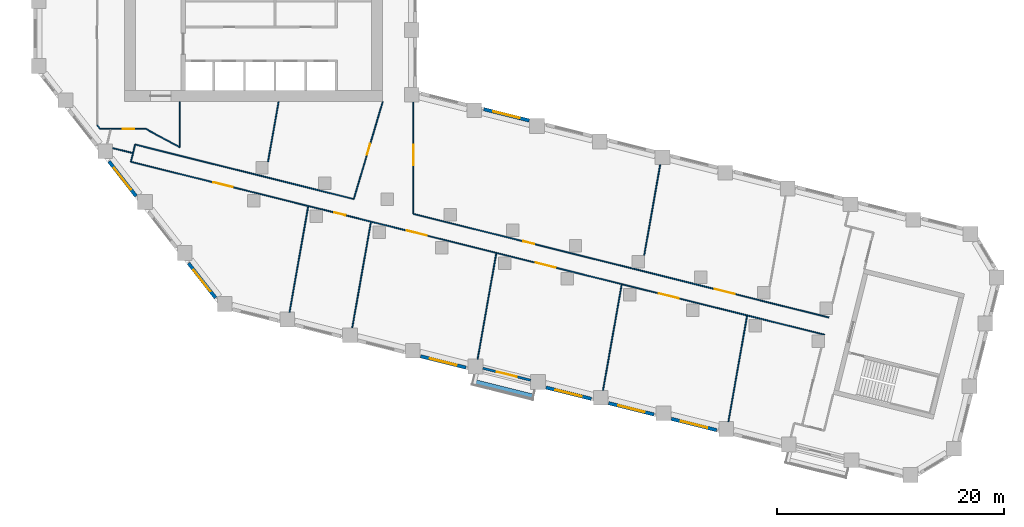
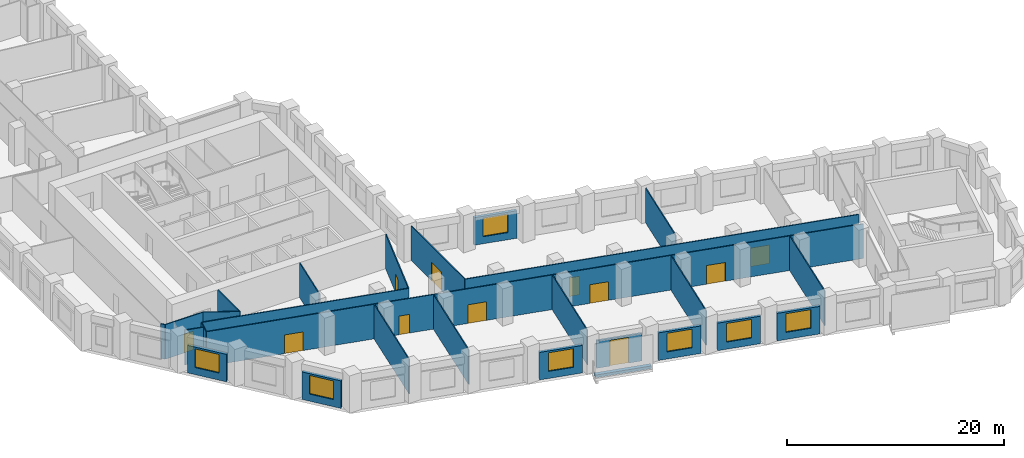
# One storey, part 3 of 10: 27 walls, 11 doors, 7 windows, 18 openings.
"""IFC4 building model written with IfcOpenShell, lengths in metres."""

from ifc_helpers import new_model, si_unit, direction, frame, frame_2d, origin, place, context, subcontext, project, spatial, rectangle, extrude, material, layer, layer_set, type_object, element, fill, save


model = new_model("IFC4")

# Units and contexts
model_context = context("Model", 3, precision=1e-05, world=origin(), true_north=direction((0.0, 1.0)))
body_context = subcontext(model_context, "Body", "Model", "MODEL_VIEW")
ifc_project = project(units=[si_unit("LENGTHUNIT", "METRE"), si_unit("AREAUNIT", "SQUARE_METRE"), si_unit("VOLUMEUNIT", "CUBIC_METRE"), si_unit("PLANEANGLEUNIT", "RADIAN"), si_unit("MASSUNIT", "GRAM", prefix="KILO")], contexts=[model_context])

# Site, building, storey
site_placement = place(None, origin())
site = spatial("IfcSite", under=ifc_project, at=site_placement, CompositionType="ELEMENT")
building_placement = place(site_placement, origin())
building = spatial("IfcBuilding", under=site, at=building_placement, Name="Meshkara Civic Tower", CompositionType="ELEMENT")
storey_placement = place(building_placement, frame((0.0, 0.0, 109.800048828125)))
storey = spatial("IfcBuildingStorey", under=building, at=storey_placement, Name="L24", CompositionType="ELEMENT", Elevation=109.800048828125)

# Wall
ifc_material_1 = material(Name="Corridor wall 100")
ifc_layer_1 = layer(ifc_material_1, 0.10009765625)
ifc_layer_set_1 = layer_set([ifc_layer_1], Name="Corridor wall 100")
wall_type_1 = type_object("IfcWallType", Name="Corridor wall 100", PredefinedType="PARTITIONING", material=ifc_layer_set_1)
wall_1_placement = place(storey_placement, frame((5.60009765625, 12.04296875, 0.0), z_axis=(0.0, 0.0, 1.0), x_axis=(0.615415398102, -0.788202948344, 0.0)))
element("IfcWall", 1, at=wall_1_placement, inside=storey, type_object=wall_type_1, Name="L24-W003", PredefinedType="PARTITIONING", context=body_context, shape_type="SweptSolid", body=[
    extrude(rectangle(XDim=0.435302734375, YDim=0.10009765625, at=frame_2d((0.2177734375, 0.0))), origin(), (0.0, 0.0, 1.0), 3.89990234375),
])

# Wall, opening, door
wall_2_placement = place(storey_placement, frame((5.867919921875, 11.699951171875, 0.0), z_axis=(0.0, 0.0, 1.0), x_axis=(1.0, 0.0, 0.0)))
wall_2 = element("IfcWall", 2, at=wall_2_placement, inside=storey, type_object=wall_type_1, Name="L24-W006", PredefinedType="PARTITIONING", context=body_context, shape_type="SweptSolid", body=[
    extrude(rectangle(XDim=4.031982421875, YDim=0.10009765625, at=frame_2d((2.01611328125, 0.0))), origin(), (0.0, 0.0, 1.0), 3.89990234375),
])
opening_1_placement = place(wall_2_placement, frame((2.009033203125, 0.0, 0.0)))
opening_1 = element("IfcOpeningElement", 3, at=opening_1_placement, cuts=wall_2, Name="Opening L24-D011", PredefinedType="OPENING", context=body_context, shape_type="SweptSolid", body=[
    extrude(rectangle(XDim=1.0, YDim=2.10009765625, at=frame_2d((0.5, 1.050048828125))), frame((0.0, 0.06005859375, 0.0), z_axis=(0.0, -1.0, 0.0), x_axis=(1.0, 0.0, 0.0)), (0.0, 0.0, 1.0), 0.1201171875),
])
ifc_material_2 = material(Name="Door 1000 x 2100")
door_type_1 = type_object("IfcDoorType", Name="Door 1000 x 2100", OperationType="SINGLE_SWING_LEFT", PredefinedType="DOOR", material=ifc_material_2)
door_1_placement = place(opening_1_placement, origin())
door_1 = element("IfcDoor", 4, at=door_1_placement, inside=storey, type_object=door_type_1, Name="L24-D011", OperationType="SINGLE_SWING_LEFT", OverallHeight=2.10009765625, OverallWidth=1.0, PredefinedType="DOOR", context=body_context, shape_type="SweptSolid", body=[
    extrude(rectangle(XDim=1.0, YDim=2.10009765625, at=frame_2d((0.5, 1.050048828125))), frame((0.0, 0.02490234375, 0.0), z_axis=(0.0, -1.0, 0.0), x_axis=(1.0, 0.0, 0.0)), (0.0, 0.0, 1.0), 0.050048828125),
])
fill(opening_1, door_1)

# Wall, openings, doors
wall_3_placement = place(storey_placement, frame((8.5791015625, 8.802978515625, 0.0), z_axis=(0.0, 0.0, 1.0), x_axis=(0.9702968999, -0.241917188404, 0.0)))
wall_3 = element("IfcWall", 5, at=wall_3_placement, inside=storey, type_object=wall_type_1, Name="L24-W009", PredefinedType="PARTITIONING", context=body_context, shape_type="SweptSolid", body=[
    extrude(rectangle(XDim=63.075439453125, YDim=0.10009765625, at=frame_2d((31.53759765625, 0.0))), origin(), (0.0, 0.0, 1.0), 3.89990234375),
])
opening_2_placement = place(wall_3_placement, frame((36.81005859375, 0.0, 0.0)))
opening_2 = element("IfcOpeningElement", 6, at=opening_2_placement, cuts=wall_3, Name="Opening L24-D003", PredefinedType="OPENING", context=body_context, shape_type="SweptSolid", body=[
    extrude(rectangle(XDim=1.800048828125, YDim=2.10009765625, at=frame_2d((0.89990234375, 1.050048828125))), frame((0.0, 0.06005859375, 0.0), z_axis=(0.0, -1.0, 0.0), x_axis=(1.0, 0.0, 0.0)), (0.0, 0.0, 1.0), 0.1201171875),
])
opening_3_placement = place(wall_3_placement, frame((48.010986328125, 0.0, 0.0)))
opening_3 = element("IfcOpeningElement", 7, at=opening_3_placement, cuts=wall_3, Name="Opening L24-D004", PredefinedType="OPENING", context=body_context, shape_type="SweptSolid", body=[
    extrude(rectangle(XDim=1.800048828125, YDim=2.10009765625, at=frame_2d((0.89990234375, 1.050048828125))), frame((0.0, 0.06005859375, 0.0), z_axis=(0.0, -1.0, 0.0), x_axis=(1.0, 0.0, 0.0)), (0.0, 0.0, 1.0), 0.1201171875),
])
opening_4_placement = place(wall_3_placement, frame((18.510009765625, 0.0, 0.0)))
opening_4 = element("IfcOpeningElement", 8, at=opening_4_placement, cuts=wall_3, Name="Opening L24-D007", PredefinedType="OPENING", context=body_context, shape_type="SweptSolid", body=[
    extrude(rectangle(XDim=1.0, YDim=2.10009765625, at=frame_2d((0.5, 1.050048828125))), frame((0.0, 0.06005859375, 0.0), z_axis=(0.0, -1.0, 0.0), x_axis=(1.0, 0.0, 0.0)), (0.0, 0.0, 1.0), 0.1201171875),
])
opening_5_placement = place(wall_3_placement, frame((25.110107421875, 0.0, 0.0)))
opening_5 = element("IfcOpeningElement", 9, at=opening_5_placement, cuts=wall_3, Name="Opening L24-D008", PredefinedType="OPENING", context=body_context, shape_type="SweptSolid", body=[
    extrude(rectangle(XDim=1.800048828125, YDim=2.10009765625, at=frame_2d((0.89990234375, 1.050048828125))), frame((0.0, 0.06005859375, 0.0), z_axis=(0.0, -1.0, 0.0), x_axis=(1.0, 0.0, 0.0)), (0.0, 0.0, 1.0), 0.1201171875),
])
opening_6_placement = place(wall_3_placement, frame((7.47998046875, 0.0, 0.0)))
opening_6 = element("IfcOpeningElement", 10, at=opening_6_placement, cuts=wall_3, Name="Opening L24-D012", PredefinedType="OPENING", context=body_context, shape_type="SweptSolid", body=[
    extrude(rectangle(XDim=1.800048828125, YDim=2.10009765625, at=frame_2d((0.89990234375, 1.050048828125))), frame((0.0, 0.06005859375, 0.0), z_axis=(0.0, -1.0, 0.0), x_axis=(1.0, 0.0, 0.0)), (0.0, 0.0, 1.0), 0.1201171875),
])
door_2_placement = place(opening_4_placement, origin())
door_2 = element("IfcDoor", 11, at=door_2_placement, inside=storey, type_object=door_type_1, Name="L24-D007", OperationType="SINGLE_SWING_LEFT", OverallHeight=2.10009765625, OverallWidth=1.0, PredefinedType="DOOR", context=body_context, shape_type="SweptSolid", body=[
    extrude(rectangle(XDim=1.0, YDim=2.10009765625, at=frame_2d((0.5, 1.050048828125))), frame((0.0, 0.02490234375, 0.0), z_axis=(0.0, -1.0, 0.0), x_axis=(1.0, 0.0, 0.0)), (0.0, 0.0, 1.0), 0.050048828125),
])
fill(opening_4, door_2)
ifc_material_3 = material(Name="Door pair 1800 x 2100")
door_type_2 = type_object("IfcDoorType", Name="Door pair 1800 x 2100", OperationType="SINGLE_SWING_LEFT", PredefinedType="DOOR", material=ifc_material_3)
door_3_placement = place(opening_2_placement, origin())
door_3 = element("IfcDoor", 12, at=door_3_placement, inside=storey, type_object=door_type_2, Name="L24-D003", OperationType="DOUBLE_DOOR_SINGLE_SWING", OverallHeight=2.10009765625, OverallWidth=1.800048828125, PredefinedType="DOOR", context=body_context, shape_type="SweptSolid", body=[
    extrude(rectangle(XDim=1.800048828125, YDim=2.10009765625, at=frame_2d((0.89990234375, 1.050048828125))), frame((0.0, 0.02490234375, 0.0), z_axis=(0.0, -1.0, 0.0), x_axis=(1.0, 0.0, 0.0)), (0.0, 0.0, 1.0), 0.050048828125),
])
fill(opening_2, door_3)
door_4_placement = place(opening_3_placement, origin())
door_4 = element("IfcDoor", 13, at=door_4_placement, inside=storey, type_object=door_type_2, Name="L24-D004", OperationType="DOUBLE_DOOR_SINGLE_SWING", OverallHeight=2.10009765625, OverallWidth=1.800048828125, PredefinedType="DOOR", context=body_context, shape_type="SweptSolid", body=[
    extrude(rectangle(XDim=1.800048828125, YDim=2.10009765625, at=frame_2d((0.89990234375, 1.050048828125))), frame((0.0, 0.02490234375, 0.0), z_axis=(0.0, -1.0, 0.0), x_axis=(1.0, 0.0, 0.0)), (0.0, 0.0, 1.0), 0.050048828125),
])
fill(opening_3, door_4)
door_5_placement = place(opening_5_placement, origin())
door_5 = element("IfcDoor", 14, at=door_5_placement, inside=storey, type_object=door_type_2, Name="L24-D008", OperationType="DOUBLE_DOOR_SINGLE_SWING", OverallHeight=2.10009765625, OverallWidth=1.800048828125, PredefinedType="DOOR", context=body_context, shape_type="SweptSolid", body=[
    extrude(rectangle(XDim=1.800048828125, YDim=2.10009765625, at=frame_2d((0.89990234375, 1.050048828125))), frame((0.0, 0.02490234375, 0.0), z_axis=(0.0, -1.0, 0.0), x_axis=(1.0, 0.0, 0.0)), (0.0, 0.0, 1.0), 0.050048828125),
])
fill(opening_5, door_5)
door_6_placement = place(opening_6_placement, origin())
door_6 = element("IfcDoor", 15, at=door_6_placement, inside=storey, type_object=door_type_2, Name="L24-D012", OperationType="DOUBLE_DOOR_SINGLE_SWING", OverallHeight=2.10009765625, OverallWidth=1.800048828125, PredefinedType="DOOR", context=body_context, shape_type="SweptSolid", body=[
    extrude(rectangle(XDim=1.800048828125, YDim=2.10009765625, at=frame_2d((0.89990234375, 1.050048828125))), frame((0.0, 0.02490234375, 0.0), z_axis=(0.0, -1.0, 0.0), x_axis=(1.0, 0.0, 0.0)), (0.0, 0.0, 1.0), 0.050048828125),
])
fill(opening_6, door_6)

# Walls
wall_4_placement = place(storey_placement, frame((8.9580078125, 10.322998046875, 0.0), z_axis=(0.0, 0.0, 1.0), x_axis=(0.970298340477, -0.241911410372, 0.0)))
element("IfcWall", 16, at=wall_4_placement, inside=storey, type_object=wall_type_1, Name="L24-W010", PredefinedType="PARTITIONING", context=body_context, shape_type="SweptSolid", body=[
    extrude(rectangle(XDim=19.879638671875, YDim=0.10009765625, at=frame_2d((9.93994140625, 0.0))), origin(), (0.0, 0.0, 1.0), 3.89990234375),
])
wall_5_placement = place(storey_placement, frame((8.9580078125, 10.322998046875, 0.0), z_axis=(0.0, 0.0, 1.0), x_axis=(-0.241875508386, -0.97030729073, 0.0)))
element("IfcWall", 17, at=wall_5_placement, inside=storey, type_object=wall_type_1, Name="L24-W011", PredefinedType="PARTITIONING", context=body_context, shape_type="SweptSolid", body=[
    extrude(rectangle(XDim=1.566650390625, YDim=0.10009765625, at=frame_2d((0.783203125, 0.0))), origin(), (0.0, 0.0, 1.0), 3.89990234375),
])
wall_6_placement = place(storey_placement, frame((9.89990234375, 11.699951171875, 0.0), z_axis=(0.0, 0.0, 1.0), x_axis=(0.87965147249, -0.475618846291, 0.0)))
element("IfcWall", 18, at=wall_6_placement, inside=storey, type_object=wall_type_1, Name="L24-W012", PredefinedType="PARTITIONING", context=body_context, shape_type="SweptSolid", body=[
    extrude(rectangle(XDim=3.410400390625, YDim=0.10009765625, at=frame_2d((1.705078125, 0.0))), origin(), (0.0, 0.0, 1.0), 3.89990234375),
])
wall_7_placement = place(storey_placement, frame((12.89990234375, 10.077880859375, 0.0), z_axis=(0.0, 0.0, 1.0), x_axis=(0.0, 1.0, 0.0)))
element("IfcWall", 19, at=wall_7_placement, inside=storey, type_object=wall_type_1, Name="L24-W015", PredefinedType="PARTITIONING", context=body_context, shape_type="SweptSolid", body=[
    extrude(rectangle(XDim=4.022216796875, YDim=0.10009765625, at=frame_2d((2.01123046875, 0.0))), origin(), (0.0, 0.0, 1.0), 3.89990234375),
])

# Wall, opening, door
wall_8_placement = place(storey_placement, frame((30.800048828125, 14.10009765625, 0.0), z_axis=(0.0, 0.0, 1.0), x_axis=(-0.285004107837, -0.958526295162, 0.0)))
wall_8 = element("IfcWall", 20, at=wall_8_placement, inside=storey, type_object=wall_type_1, Name="L24-W021", PredefinedType="PARTITIONING", context=body_context, shape_type="SweptSolid", body=[
    extrude(rectangle(XDim=8.957763671875, YDim=0.10009765625, at=frame_2d((4.47900390625, 0.0))), origin(), (0.0, 0.0, 1.0), 3.89990234375),
])
opening_7_placement = place(wall_8_placement, frame((3.8798828125, 0.0, 0.0)))
opening_7 = element("IfcOpeningElement", 21, at=opening_7_placement, cuts=wall_8, Name="Opening L24-D013", PredefinedType="OPENING", context=body_context, shape_type="SweptSolid", body=[
    extrude(rectangle(XDim=1.0, YDim=2.10009765625, at=frame_2d((0.5, 1.050048828125))), frame((0.0, 0.06005859375, 0.0), z_axis=(0.0, -1.0, 0.0), x_axis=(1.0, 0.0, 0.0)), (0.0, 0.0, 1.0), 0.1201171875),
])
door_7_placement = place(opening_7_placement, origin())
door_7 = element("IfcDoor", 22, at=door_7_placement, inside=storey, type_object=door_type_1, Name="L24-D013", OperationType="SINGLE_SWING_RIGHT", OverallHeight=2.10009765625, OverallWidth=1.0, PredefinedType="DOOR", context=body_context, shape_type="SweptSolid", body=[
    extrude(rectangle(XDim=1.0, YDim=2.10009765625, at=frame_2d((0.5, 1.050048828125))), frame((0.0, 0.02490234375, 0.0), z_axis=(0.0, -1.0, 0.0), x_axis=(1.0, 0.0, 0.0)), (0.0, 0.0, 1.0), 0.050048828125),
])
fill(opening_7, door_7)

# Wall, openings, doors
wall_9_placement = place(storey_placement, frame((33.5, 4.2041015625, 0.0), z_axis=(0.0, 0.0, 1.0), x_axis=(0.970297005816, -0.241916763589, 0.0)))
wall_9 = element("IfcWall", 23, at=wall_9_placement, inside=storey, type_object=wall_type_1, Name="L24-W022", PredefinedType="PARTITIONING", context=body_context, shape_type="SweptSolid", body=[
    extrude(rectangle(XDim=37.7822265625, YDim=0.10009765625, at=frame_2d((18.89111328125, 0.0))), origin(), (0.0, 0.0, 1.0), 3.89990234375),
])
opening_8_placement = place(wall_9_placement, frame((27.4169921875, 0.0, 0.0)))
opening_8 = element("IfcOpeningElement", 24, at=opening_8_placement, cuts=wall_9, Name="Opening L24-D005", PredefinedType="OPENING", context=body_context, shape_type="SweptSolid", body=[
    extrude(rectangle(XDim=1.800048828125, YDim=2.10009765625, at=frame_2d((0.89990234375, 1.050048828125))), frame((0.0, 0.06005859375, 0.0), z_axis=(0.0, -1.0, 0.0), x_axis=(1.0, 0.0, 0.0)), (0.0, 0.0, 1.0), 0.1201171875),
])
opening_9_placement = place(wall_9_placement, frame((9.97998046875, 0.0, 0.0)))
opening_9 = element("IfcOpeningElement", 25, at=opening_9_placement, cuts=wall_9, Name="Opening L24-D009", PredefinedType="OPENING", context=body_context, shape_type="SweptSolid", body=[
    extrude(rectangle(XDim=1.0, YDim=2.10009765625, at=frame_2d((0.5, 1.050048828125))), frame((0.0, 0.06005859375, 0.0), z_axis=(0.0, -1.0, 0.0), x_axis=(1.0, 0.0, 0.0)), (0.0, 0.0, 1.0), 0.1201171875),
])
door_8_placement = place(opening_9_placement, origin())
door_8 = element("IfcDoor", 26, at=door_8_placement, inside=storey, type_object=door_type_1, Name="L24-D009", OperationType="SINGLE_SWING_RIGHT", OverallHeight=2.10009765625, OverallWidth=1.0, PredefinedType="DOOR", context=body_context, shape_type="SweptSolid", body=[
    extrude(rectangle(XDim=1.0, YDim=2.10009765625, at=frame_2d((0.5, 1.050048828125))), frame((0.0, 0.02490234375, 0.0), z_axis=(0.0, -1.0, 0.0), x_axis=(1.0, 0.0, 0.0)), (0.0, 0.0, 1.0), 0.050048828125),
])
fill(opening_9, door_8)
door_9_placement = place(opening_8_placement, origin())
door_9 = element("IfcDoor", 27, at=door_9_placement, inside=storey, type_object=door_type_2, Name="L24-D005", OperationType="DOUBLE_DOOR_SINGLE_SWING", OverallHeight=2.10009765625, OverallWidth=1.800048828125, PredefinedType="DOOR", context=body_context, shape_type="SweptSolid", body=[
    extrude(rectangle(XDim=1.800048828125, YDim=2.10009765625, at=frame_2d((0.89990234375, 1.050048828125))), frame((0.0, 0.02490234375, 0.0), z_axis=(0.0, -1.0, 0.0), x_axis=(1.0, 0.0, 0.0)), (0.0, 0.0, 1.0), 0.050048828125),
])
fill(opening_8, door_9)

# Wall, opening, door
wall_10_placement = place(storey_placement, frame((33.5, 4.2041015625, 0.0), z_axis=(0.0, 0.0, 1.0), x_axis=(0.0, 1.0, 0.0)))
wall_10 = element("IfcWall", 28, at=wall_10_placement, inside=storey, type_object=wall_type_1, Name="L24-W023", PredefinedType="PARTITIONING", context=body_context, shape_type="SweptSolid", body=[
    extrude(rectangle(XDim=9.864990234375, YDim=0.10009765625, at=frame_2d((4.9326171875, 0.0))), origin(), (0.0, 0.0, 1.0), 3.89990234375),
])
opening_10_placement = place(wall_10_placement, frame((4.280029296875, 0.0, 0.0)))
opening_10 = element("IfcOpeningElement", 29, at=opening_10_placement, cuts=wall_10, Name="Opening L24-D014", PredefinedType="OPENING", context=body_context, shape_type="SweptSolid", body=[
    extrude(rectangle(XDim=1.800048828125, YDim=2.10009765625, at=frame_2d((0.89990234375, 1.050048828125))), frame((0.0, 0.06005859375, 0.0), z_axis=(0.0, -1.0, 0.0), x_axis=(1.0, 0.0, 0.0)), (0.0, 0.0, 1.0), 0.1201171875),
])
door_10_placement = place(opening_10_placement, origin())
door_10 = element("IfcDoor", 30, at=door_10_placement, inside=storey, type_object=door_type_2, Name="L24-D014", OperationType="DOUBLE_DOOR_SINGLE_SWING", OverallHeight=2.10009765625, OverallWidth=1.800048828125, PredefinedType="DOOR", context=body_context, shape_type="SweptSolid", body=[
    extrude(rectangle(XDim=1.800048828125, YDim=2.10009765625, at=frame_2d((0.89990234375, 1.050048828125))), frame((0.0, 0.02490234375, 0.0), z_axis=(0.0, -1.0, 0.0), x_axis=(1.0, 0.0, 0.0)), (0.0, 0.0, 1.0), 0.050048828125),
])
fill(opening_10, door_10)

# Wall, opening, window
ifc_material_4 = material(Name="Insulated infill panel with bronze anodised aluminium cladding", Category="aluminium")
ifc_layer_2 = layer(ifc_material_4, 0.300048828125)
ifc_layer_set_2 = layer_set([ifc_layer_2], Name="EXTERNAL INFILL WALL 300")
wall_type_2 = type_object("IfcWallType", Name="EXTERNAL INFILL WALL 300", PredefinedType="SOLIDWALL", material=ifc_layer_set_2)
wall_11_placement = place(storey_placement, frame((43.718994140625, 12.443115234375, 0.0), z_axis=(0.0, 0.0, 1.0), x_axis=(-0.970281650314, 0.241978344205, 0.0)))
wall_11 = element("IfcWall", 31, at=wall_11_placement, inside=storey, type_object=wall_type_2, Name="External wall", PredefinedType="SOLIDWALL", context=body_context, shape_type="SweptSolid", body=[
    extrude(rectangle(XDim=4.12353515625, YDim=0.300048828125, at=frame_2d((2.061767578125, 0.0))), origin(), (0.0, 0.0, 1.0), 3.099853515625),
])
opening_11_placement = place(wall_11_placement, frame((0.862060546875, 0.0, 0.800048828125)))
opening_11 = element("IfcOpeningElement", 32, at=opening_11_placement, cuts=wall_11, Name="Opening W7", PredefinedType="OPENING", context=body_context, shape_type="SweptSolid", body=[
    extrude(rectangle(XDim=2.39990234375, YDim=2.10009765625, at=frame_2d((1.199951171875, 1.050048828125))), frame((0.0, 0.159912109375, 0.0), z_axis=(0.0, -1.0, 0.0), x_axis=(1.0, 0.0, 0.0)), (0.0, 0.0, 1.0), 0.320068359375),
])
ifc_material_5 = material(Name="Tinted double glazing", Category="glass")
window_type = type_object("IfcWindowType", Name="WINDOW 2400x2100", PartitioningType="DOUBLE_PANEL_VERTICAL", PredefinedType="WINDOW", material=ifc_material_5)
window_1_placement = place(opening_11_placement, origin())
window_1 = element("IfcWindow", 33, at=window_1_placement, inside=storey, type_object=window_type, Name="Window", OverallHeight=2.10009765625, OverallWidth=2.39990234375, PartitioningType="DOUBLE_PANEL_VERTICAL", PredefinedType="WINDOW", context=body_context, shape_type="SweptSolid", body=[
    extrude(rectangle(XDim=2.39990234375, YDim=2.10009765625, at=frame_2d((1.199951171875, 1.050048828125))), frame((0.0, 0.030029296875, 0.0), z_axis=(0.0, -1.0, 0.0), x_axis=(1.0, 0.0, 0.0)), (0.0, 0.0, 1.0), 0.06005859375),
])
fill(opening_11, window_1)

wall_12_placement = place(storey_placement, frame((6.64892578125, 8.833984375, 0.0), z_axis=(0.0, 0.0, 1.0), x_axis=(0.615535257281, -0.788109349674, 0.0)))
wall_12 = element("IfcWall", 34, at=wall_12_placement, inside=storey, type_object=wall_type_2, Name="External wall", PredefinedType="SOLIDWALL", context=body_context, shape_type="SweptSolid", body=[
    extrude(rectangle(XDim=3.876220703125, YDim=0.300048828125, at=frame_2d((1.93798828125, 0.0))), origin(), (0.0, 0.0, 1.0), 3.099853515625),
])
opening_12_placement = place(wall_12_placement, frame((0.738037109375, 0.0, 0.800048828125)))
opening_12 = element("IfcOpeningElement", 35, at=opening_12_placement, cuts=wall_12, Name="Opening W7", PredefinedType="OPENING", context=body_context, shape_type="SweptSolid", body=[
    extrude(rectangle(XDim=2.39990234375, YDim=2.10009765625, at=frame_2d((1.199951171875, 1.050048828125))), frame((0.0, 0.159912109375, 0.0), z_axis=(0.0, -1.0, 0.0), x_axis=(1.0, 0.0, 0.0)), (0.0, 0.0, 1.0), 0.320068359375),
])
window_2_placement = place(opening_12_placement, origin())
window_2 = element("IfcWindow", 36, at=window_2_placement, inside=storey, type_object=window_type, Name="Window", OverallHeight=2.10009765625, OverallWidth=2.39990234375, PartitioningType="DOUBLE_PANEL_VERTICAL", PredefinedType="WINDOW", context=body_context, shape_type="SweptSolid", body=[
    extrude(rectangle(XDim=2.39990234375, YDim=2.10009765625, at=frame_2d((1.199951171875, 1.050048828125))), frame((0.0, 0.030029296875, 0.0), z_axis=(0.0, -1.0, 0.0), x_axis=(1.0, 0.0, 0.0)), (0.0, 0.0, 1.0), 0.06005859375),
])
fill(opening_12, window_2)

wall_13_placement = place(storey_placement, frame((13.6669921875, -0.14990234375, 0.0), z_axis=(0.0, 0.0, 1.0), x_axis=(0.615626928003, -0.788037743714, 0.0)))
wall_13 = element("IfcWall", 37, at=wall_13_placement, inside=storey, type_object=wall_type_2, Name="External wall", PredefinedType="SOLIDWALL", context=body_context, shape_type="SweptSolid", body=[
    extrude(rectangle(XDim=3.875732421875, YDim=0.300048828125, at=frame_2d((1.93798828125, 0.0))), origin(), (0.0, 0.0, 1.0), 3.099853515625),
])
opening_13_placement = place(wall_13_placement, frame((0.738037109375, 0.0, 0.800048828125)))
opening_13 = element("IfcOpeningElement", 38, at=opening_13_placement, cuts=wall_13, Name="Opening W7", PredefinedType="OPENING", context=body_context, shape_type="SweptSolid", body=[
    extrude(rectangle(XDim=2.39990234375, YDim=2.10009765625, at=frame_2d((1.199951171875, 1.050048828125))), frame((0.0, 0.159912109375, 0.0), z_axis=(0.0, -1.0, 0.0), x_axis=(1.0, 0.0, 0.0)), (0.0, 0.0, 1.0), 0.320068359375),
])
window_3_placement = place(opening_13_placement, origin())
window_3 = element("IfcWindow", 39, at=window_3_placement, inside=storey, type_object=window_type, Name="Window", OverallHeight=2.10009765625, OverallWidth=2.39990234375, PartitioningType="DOUBLE_PANEL_VERTICAL", PredefinedType="WINDOW", context=body_context, shape_type="SweptSolid", body=[
    extrude(rectangle(XDim=2.39990234375, YDim=2.10009765625, at=frame_2d((1.199951171875, 1.050048828125))), frame((0.0, 0.030029296875, 0.0), z_axis=(0.0, -1.0, 0.0), x_axis=(1.0, 0.0, 0.0)), (0.0, 0.0, 1.0), 0.06005859375),
])
fill(opening_13, window_3)

wall_14_placement = place(storey_placement, frame((34.135009765625, -8.35595703125, 0.0), z_axis=(0.0, 0.0, 1.0), x_axis=(0.970281616392, -0.241978480223, 0.0)))
wall_14 = element("IfcWall", 40, at=wall_14_placement, inside=storey, type_object=wall_type_2, Name="External wall", PredefinedType="SOLIDWALL", context=body_context, shape_type="SweptSolid", body=[
    extrude(rectangle(XDim=4.12451171875, YDim=0.300048828125, at=frame_2d((2.062255859375, 0.0))), origin(), (0.0, 0.0, 1.0), 3.099853515625),
])
opening_14_placement = place(wall_14_placement, frame((0.862060546875, 0.0, 0.800048828125)))
opening_14 = element("IfcOpeningElement", 41, at=opening_14_placement, cuts=wall_14, Name="Opening W7", PredefinedType="OPENING", context=body_context, shape_type="SweptSolid", body=[
    extrude(rectangle(XDim=2.39990234375, YDim=2.10009765625, at=frame_2d((1.199951171875, 1.050048828125))), frame((0.0, 0.159912109375, 0.0), z_axis=(0.0, -1.0, 0.0), x_axis=(1.0, 0.0, 0.0)), (0.0, 0.0, 1.0), 0.320068359375),
])
window_4_placement = place(opening_14_placement, origin())
window_4 = element("IfcWindow", 42, at=window_4_placement, inside=storey, type_object=window_type, Name="Window", OverallHeight=2.10009765625, OverallWidth=2.39990234375, PartitioningType="DOUBLE_PANEL_VERTICAL", PredefinedType="WINDOW", context=body_context, shape_type="SweptSolid", body=[
    extrude(rectangle(XDim=2.39990234375, YDim=2.10009765625, at=frame_2d((1.199951171875, 1.050048828125))), frame((0.0, 0.030029296875, 0.0), z_axis=(0.0, -1.0, 0.0), x_axis=(1.0, 0.0, 0.0)), (0.0, 0.0, 1.0), 0.06005859375),
])
fill(opening_14, window_4)

wall_15_placement = place(storey_placement, frame((45.197021484375, -11.114013671875, 0.0), z_axis=(0.0, 0.0, 1.0), x_axis=(0.970267747908, -0.242034083076, 0.0)))
wall_15 = element("IfcWall", 43, at=wall_15_placement, inside=storey, type_object=wall_type_2, Name="External wall", PredefinedType="SOLIDWALL", context=body_context, shape_type="SweptSolid", body=[
    extrude(rectangle(XDim=4.12353515625, YDim=0.300048828125, at=frame_2d((2.061767578125, 0.0))), origin(), (0.0, 0.0, 1.0), 3.099853515625),
])
opening_15_placement = place(wall_15_placement, frame((0.862060546875, 0.0, 0.800048828125)))
opening_15 = element("IfcOpeningElement", 44, at=opening_15_placement, cuts=wall_15, Name="Opening W7", PredefinedType="OPENING", context=body_context, shape_type="SweptSolid", body=[
    extrude(rectangle(XDim=2.39990234375, YDim=2.10009765625, at=frame_2d((1.199951171875, 1.050048828125))), frame((0.0, 0.159912109375, 0.0), z_axis=(0.0, -1.0, 0.0), x_axis=(1.0, 0.0, 0.0)), (0.0, 0.0, 1.0), 0.320068359375),
])
window_5_placement = place(opening_15_placement, origin())
window_5 = element("IfcWindow", 45, at=window_5_placement, inside=storey, type_object=window_type, Name="Window", OverallHeight=2.10009765625, OverallWidth=2.39990234375, PartitioningType="DOUBLE_PANEL_VERTICAL", PredefinedType="WINDOW", context=body_context, shape_type="SweptSolid", body=[
    extrude(rectangle(XDim=2.39990234375, YDim=2.10009765625, at=frame_2d((1.199951171875, 1.050048828125))), frame((0.0, 0.030029296875, 0.0), z_axis=(0.0, -1.0, 0.0), x_axis=(1.0, 0.0, 0.0)), (0.0, 0.0, 1.0), 0.06005859375),
])
fill(opening_15, window_5)

wall_16_placement = place(storey_placement, frame((50.72705078125, -12.492919921875, 0.0), z_axis=(0.0, 0.0, 1.0), x_axis=(0.970281616392, -0.241978480223, 0.0)))
wall_16 = element("IfcWall", 46, at=wall_16_placement, inside=storey, type_object=wall_type_2, Name="External wall", PredefinedType="SOLIDWALL", context=body_context, shape_type="SweptSolid", body=[
    extrude(rectangle(XDim=4.12451171875, YDim=0.300048828125, at=frame_2d((2.062255859375, 0.0))), origin(), (0.0, 0.0, 1.0), 3.099853515625),
])
opening_16_placement = place(wall_16_placement, frame((0.862060546875, 0.0, 0.800048828125)))
opening_16 = element("IfcOpeningElement", 47, at=opening_16_placement, cuts=wall_16, Name="Opening W7", PredefinedType="OPENING", context=body_context, shape_type="SweptSolid", body=[
    extrude(rectangle(XDim=2.39990234375, YDim=2.10009765625, at=frame_2d((1.199951171875, 1.050048828125))), frame((0.0, 0.159912109375, 0.0), z_axis=(0.0, -1.0, 0.0), x_axis=(1.0, 0.0, 0.0)), (0.0, 0.0, 1.0), 0.320068359375),
])
window_6_placement = place(opening_16_placement, origin())
window_6 = element("IfcWindow", 48, at=window_6_placement, inside=storey, type_object=window_type, Name="Window", OverallHeight=2.10009765625, OverallWidth=2.39990234375, PartitioningType="DOUBLE_PANEL_VERTICAL", PredefinedType="WINDOW", context=body_context, shape_type="SweptSolid", body=[
    extrude(rectangle(XDim=2.39990234375, YDim=2.10009765625, at=frame_2d((1.199951171875, 1.050048828125))), frame((0.0, 0.030029296875, 0.0), z_axis=(0.0, -1.0, 0.0), x_axis=(1.0, 0.0, 0.0)), (0.0, 0.0, 1.0), 0.06005859375),
])
fill(opening_16, window_6)

wall_17_placement = place(storey_placement, frame((56.258056640625, -13.8720703125, 0.0), z_axis=(0.0, 0.0, 1.0), x_axis=(0.970281616392, -0.241978480223, 0.0)))
wall_17 = element("IfcWall", 49, at=wall_17_placement, inside=storey, type_object=wall_type_2, Name="External wall", PredefinedType="SOLIDWALL", context=body_context, shape_type="SweptSolid", body=[
    extrude(rectangle(XDim=4.12451171875, YDim=0.300048828125, at=frame_2d((2.062255859375, 0.0))), origin(), (0.0, 0.0, 1.0), 3.099853515625),
])
opening_17_placement = place(wall_17_placement, frame((0.862060546875, 0.0, 0.800048828125)))
opening_17 = element("IfcOpeningElement", 50, at=opening_17_placement, cuts=wall_17, Name="Opening W7", PredefinedType="OPENING", context=body_context, shape_type="SweptSolid", body=[
    extrude(rectangle(XDim=2.39990234375, YDim=2.10009765625, at=frame_2d((1.199951171875, 1.050048828125))), frame((0.0, 0.159912109375, 0.0), z_axis=(0.0, -1.0, 0.0), x_axis=(1.0, 0.0, 0.0)), (0.0, 0.0, 1.0), 0.320068359375),
])
window_7_placement = place(opening_17_placement, origin())
window_7 = element("IfcWindow", 51, at=window_7_placement, inside=storey, type_object=window_type, Name="Window", OverallHeight=2.10009765625, OverallWidth=2.39990234375, PartitioningType="DOUBLE_PANEL_VERTICAL", PredefinedType="WINDOW", context=body_context, shape_type="SweptSolid", body=[
    extrude(rectangle(XDim=2.39990234375, YDim=2.10009765625, at=frame_2d((1.199951171875, 1.050048828125))), frame((0.0, 0.030029296875, 0.0), z_axis=(0.0, -1.0, 0.0), x_axis=(1.0, 0.0, 0.0)), (0.0, 0.0, 1.0), 0.06005859375),
])
fill(opening_17, window_7)

# Wall, opening, door
ifc_material_6 = material(Name="Insulated infill panel with bronze anodised aluminium cladding", Category="aluminium")
ifc_layer_3 = layer(ifc_material_6, 0.199951171875)
ifc_layer_set_3 = layer_set([ifc_layer_3], Name="LOGGIA BACK WALL 200")
wall_type_3 = type_object("IfcWallType", Name="LOGGIA BACK WALL 200", PredefinedType="SOLIDWALL", material=ifc_layer_set_3)
wall_18_placement = place(storey_placement, frame((39.6240234375, -9.416015625, 0.0), z_axis=(0.0, 0.0, 1.0), x_axis=(0.970346363444, -0.241718710386, 0.0)))
wall_18 = element("IfcWall", 52, at=wall_18_placement, inside=storey, type_object=wall_type_3, Name="Loggia wall", PredefinedType="SOLIDWALL", context=body_context, shape_type="SweptSolid", body=[
    extrude(rectangle(XDim=4.3603515625, YDim=0.199951171875, at=frame_2d((2.18017578125, 0.0))), origin(), (0.0, 0.0, 1.0), 3.099853515625),
])
opening_18_placement = place(wall_18_placement, frame((1.280029296875, 0.0, 0.0)))
opening_18 = element("IfcOpeningElement", 53, at=opening_18_placement, cuts=wall_18, Name="Opening L24-L002", PredefinedType="OPENING", context=body_context, shape_type="SweptSolid", body=[
    extrude(rectangle(XDim=1.800048828125, YDim=2.89990234375, at=frame_2d((0.89990234375, 1.449951171875))), frame((0.0, 0.10986328125, 0.0), z_axis=(0.0, -1.0, 0.0), x_axis=(1.0, 0.0, 0.0)), (0.0, 0.0, 1.0), 0.219970703125),
])
ifc_material_7 = material(Name="Tinted double glazing", Category="glass")
door_type_3 = type_object("IfcDoorType", Name="LOGGIA DOOR 1800x2900", OperationType="DOUBLE_DOOR_SINGLE_SWING", PredefinedType="DOOR", material=ifc_material_7)
door_11_placement = place(opening_18_placement, origin())
door_11 = element("IfcDoor", 54, at=door_11_placement, inside=storey, type_object=door_type_3, Name="L24-L002", OperationType="DOUBLE_DOOR_SINGLE_SWING", OverallHeight=2.89990234375, OverallWidth=1.800048828125, PredefinedType="DOOR", context=body_context, shape_type="SweptSolid", body=[
    extrude(rectangle(XDim=1.800048828125, YDim=2.89990234375, at=frame_2d((0.89990234375, 1.449951171875))), frame((0.0, 0.02490234375, 0.0), z_axis=(0.0, -1.0, 0.0), x_axis=(1.0, 0.0, 0.0)), (0.0, 0.0, 1.0), 0.050048828125),
])
fill(opening_18, door_11)

# Walls
ifc_material_8 = material(Name="Concrete C40", Category="concrete")
ifc_layer_4 = layer(ifc_material_8, 0.39990234375)
ifc_layer_set_4 = layer_set([ifc_layer_4], Name="PLANTER TRAY")
wall_type_4 = type_object("IfcWallType", Name="PLANTER TRAY", PredefinedType="SOLIDWALL", material=ifc_layer_set_4)
wall_19_placement = place(storey_placement, frame((38.81689453125, -10.5849609375, 0.0), z_axis=(0.0, 0.0, 1.0), x_axis=(0.970281652924, -0.241978333739, 0.0)))
element("IfcWall", 55, at=wall_19_placement, inside=storey, type_object=wall_type_4, Name="Planter", PredefinedType="SOLIDWALL", context=body_context, shape_type="SweptSolid", body=[
    extrude(rectangle(XDim=5.360595703125, YDim=0.39990234375, at=frame_2d((2.68017578125, 0.0))), origin(), (0.0, 0.0, 1.0), 0.300048828125),
])
ifc_material_9 = material(Name="Partition 100")
ifc_layer_5 = layer(ifc_material_9, 0.10009765625)
ifc_layer_set_5 = layer_set([ifc_layer_5], Name="Partition 100")
wall_type_5 = type_object("IfcWallType", Name="Partition 100", PredefinedType="PARTITIONING", material=ifc_layer_set_5)
wall_20_placement = place(storey_placement, frame((8.718994140625, 9.574951171875, 0.0), z_axis=(0.0, 0.0, 1.0), x_axis=(-0.970333736057, 0.241769395645, 0.0)))
element("IfcWall", 56, at=wall_20_placement, inside=storey, type_object=wall_type_5, Name="L24-W034", PredefinedType="PARTITIONING", context=body_context, shape_type="SweptSolid", body=[
    extrude(rectangle(XDim=1.799560546875, YDim=0.10009765625, at=frame_2d((0.89990234375, 0.0))), origin(), (0.0, 0.0, 1.0), 3.89990234375),
])
wall_21_placement = place(storey_placement, frame((20.680908203125, 8.821044921875, 0.0), z_axis=(0.0, 0.0, 1.0), x_axis=(0.173704790762, 0.984797768918, 0.0)))
element("IfcWall", 57, at=wall_21_placement, inside=storey, type_object=wall_type_5, Name="L24-W038", PredefinedType="PARTITIONING", context=body_context, shape_type="SweptSolid", body=[
    extrude(rectangle(XDim=5.360595703125, YDim=0.10009765625, at=frame_2d((2.68017578125, 0.0))), origin(), (0.0, 0.0, 1.0), 3.89990234375),
])
for number, where, z_axis, x_axis, name in (
    (58, (22.577880859375, -4.467041015625, 0.0), (0.0, 0.0, 1.0), (0.1737087662, 0.984797067697, 0.0), "L24-W043"),
    (59, (28.10888671875, -5.845947265625, 0.0), (0.0, 0.0, 1.0), (0.1737087662, 0.984797067697, 0.0), "L24-W044"),
):
    element("IfcWall", number, at=place(storey_placement, frame(where, z_axis=z_axis, x_axis=x_axis)), inside=storey, type_object=wall_type_5, Name=name, PredefinedType="PARTITIONING", context=body_context, shape_type="SweptSolid", body=[
        extrude(rectangle(XDim=9.458740234375, YDim=0.10009765625, at=frame_2d((4.7294921875, 0.0))), origin(), (0.0, 0.0, 1.0), 3.89990234375),
    ])
for number, where, z_axis, x_axis, name in (
    (60, (39.169921875, -8.60302734375, 0.0), (0.0, 0.0, 1.0), (0.173726429776, 0.984793951849, 0.0), "L24-W045"),
    (61, (50.23193359375, -11.361083984375, 0.0), (0.0, 0.0, 1.0), (0.173726429776, 0.984793951849, 0.0), "L24-W046"),
):
    element("IfcWall", number, at=place(storey_placement, frame(where, z_axis=z_axis, x_axis=x_axis)), inside=storey, type_object=wall_type_5, Name=name, PredefinedType="PARTITIONING", context=body_context, shape_type="SweptSolid", body=[
        extrude(rectangle(XDim=9.457763671875, YDim=0.10009765625, at=frame_2d((4.72900390625, 0.0))), origin(), (0.0, 0.0, 1.0), 3.89990234375),
    ])
wall_22_placement = place(storey_placement, frame((53.864990234375, 0.547119140625, 0.0), z_axis=(0.0, 0.0, 1.0), x_axis=(0.17370309897, 0.984798067326, 0.0)))
element("IfcWall", 62, at=wall_22_placement, inside=storey, type_object=wall_type_5, Name="L24-W047", PredefinedType="PARTITIONING", context=body_context, shape_type="SweptSolid", body=[
    extrude(rectangle(XDim=8.12939453125, YDim=0.10009765625, at=frame_2d((4.064697265625, 0.0))), origin(), (0.0, 0.0, 1.0), 3.89990234375),
])
wall_23_placement = place(storey_placement, frame((61.29296875, -14.118896484375, 0.0), z_axis=(0.0, 0.0, 1.0), x_axis=(0.173726429776, 0.984793951849, 0.0)))
element("IfcWall", 63, at=wall_23_placement, inside=storey, type_object=wall_type_5, Name="L24-W048", PredefinedType="PARTITIONING", context=body_context, shape_type="SweptSolid", body=[
    extrude(rectangle(XDim=9.457763671875, YDim=0.10009765625, at=frame_2d((4.72900390625, 0.0))), origin(), (0.0, 0.0, 1.0), 3.89990234375),
])

save(model, "model.ifc")
